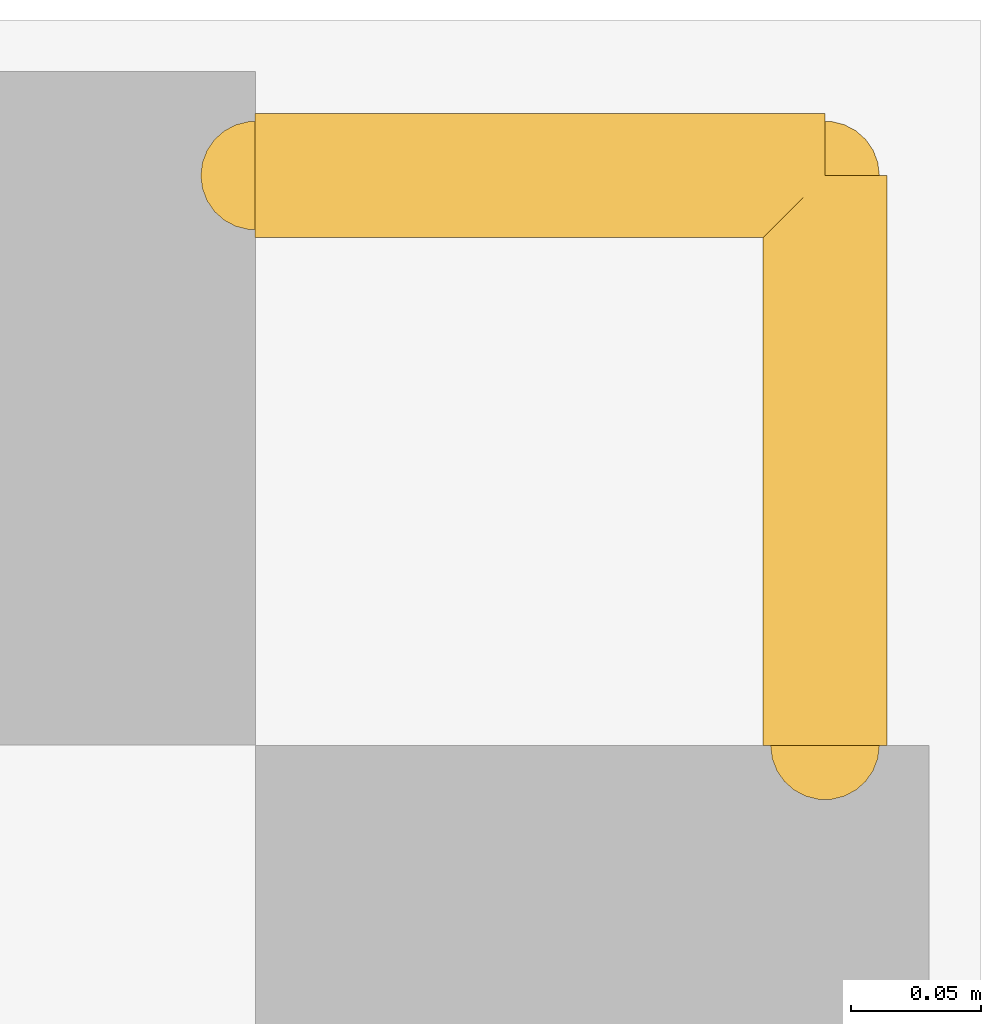
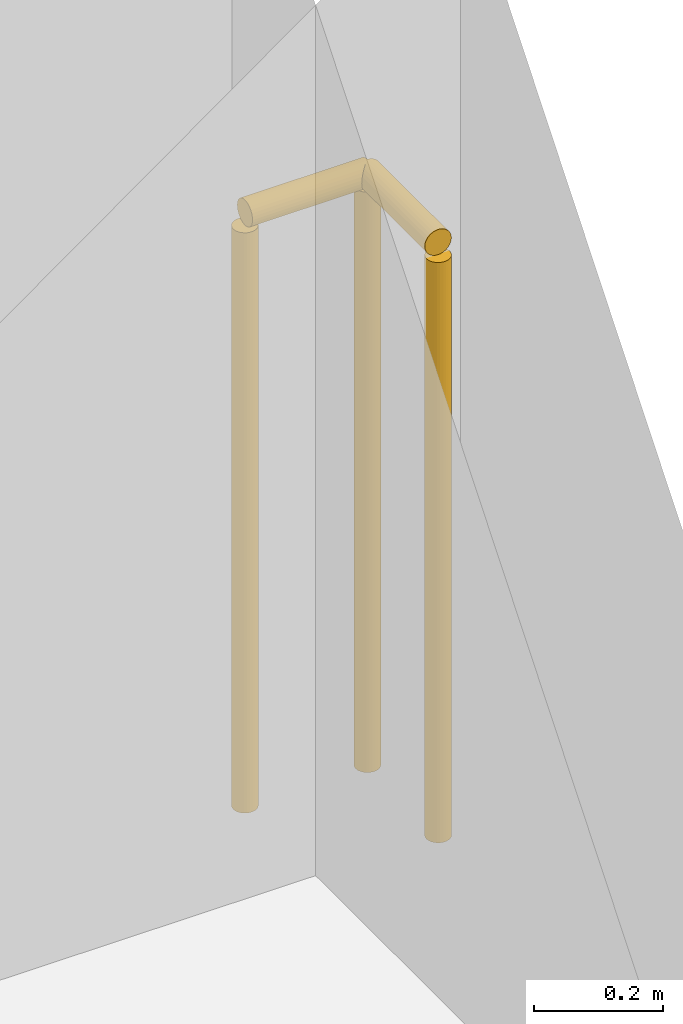
# One storey, part 25 of 25: 1 railing.
"""IFC4 building model written with IfcOpenShell, lengths in metres."""

from ifc_helpers import new_model, si_unit, direction, frame, origin, origin_2d, place, context, subcontext, project, spatial, circle, extrude, material, type_object, element, save


model = new_model("IFC4")

# Units and contexts
model_context = context("Model", 3, precision=1e-05, world=origin(), true_north=direction((0.0, 1.0)))
body_context = subcontext(model_context, "Body", "Model", "MODEL_VIEW")
ifc_project = project(units=[si_unit("LENGTHUNIT", "METRE"), si_unit("AREAUNIT", "SQUARE_METRE"), si_unit("VOLUMEUNIT", "CUBIC_METRE"), si_unit("PLANEANGLEUNIT", "RADIAN"), si_unit("MASSUNIT", "GRAM", prefix="KILO")], contexts=[model_context])

# Site, building, storey
site_placement = place(None, origin())
site = spatial("IfcSite", under=ifc_project, at=site_placement, CompositionType="ELEMENT")
building_placement = place(site_placement, origin())
building = spatial("IfcBuilding", under=site, at=building_placement, Name="Solvane Sanctuary Tower", CompositionType="ELEMENT")
storey_placement = place(building_placement, frame((0.0, 0.0, 4.60009765625)))
storey = spatial("IfcBuildingStorey", under=building, at=storey_placement, Name="L02", CompositionType="ELEMENT", Elevation=4.60009765625)

# Railing
ifc_material = material(Name="Architectural Stainless Steel 316", Category="steel")
railing_type = type_object("IfcRailingType", Name="Railing GR-BALC-1150", PredefinedType="BALUSTRADE", material=ifc_material)
railing_placement = place(storey_placement, frame((63.719970703125, 45.93994140625, 0.0)))
element("IfcRailing", 1, at=railing_placement, inside=storey, type_object=railing_type, Name="L02 Perimeter Slab Edge Guardrail 03", PredefinedType="BALUSTRADE", context=body_context, shape_type="SweptSolid", body=[
    extrude(circle(Radius=0.02392578125, at=origin_2d()), frame((0.0, 0.0, 1.1259765625), z_axis=(1.0, 0.0, 0.0), x_axis=(0.0, 1.0, 0.0)), (0.0, 0.0, 1.0), 0.219970703125),
    extrude(circle(Radius=0.02392578125, at=origin_2d()), frame((0.219970703125, 0.0, 1.1259765625), z_axis=(0.0, -1.0, 0.0), x_axis=(1.0, 0.0, 0.0)), (0.0, 0.0, 1.0), 0.219970703125),
    extrude(circle(Radius=0.02099609375, at=origin_2d()), origin(), (0.0, 0.0, 1.0), 1.101806640625),
    extrude(circle(Radius=0.02099609375, at=origin_2d()), frame((0.219970703125, 0.0, 0.0)), (0.0, 0.0, 1.0), 1.101806640625),
    extrude(circle(Radius=0.02099609375, at=origin_2d()), frame((0.219970703125, -0.219970703125, 0.0)), (0.0, 0.0, 1.0), 1.101806640625),
])

save(model, "model.ifc")
